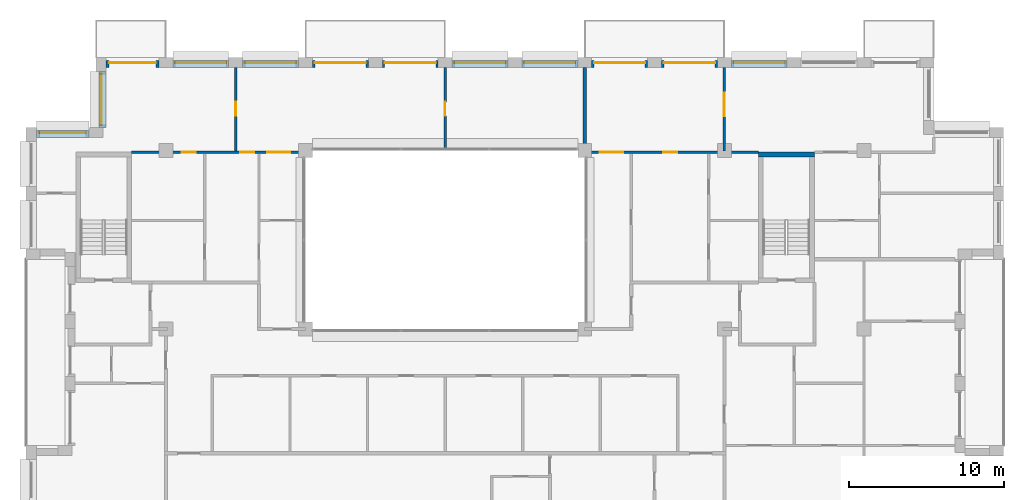
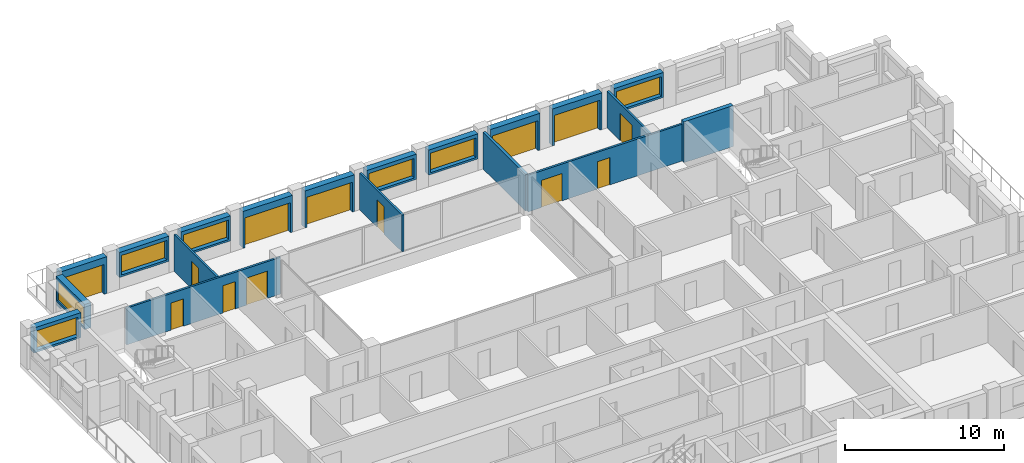
# One storey, part 13 of 15: 19 walls, 13 doors, 7 windows, 20 openings.
"""IFC4 building model written with IfcOpenShell, lengths in metres."""

import ifcopenshell
import ifcopenshell.guid

model = None  # the IFC model being written
_history = None  # IfcOwnerHistory: only IFC2X3 demands one
_inside = {}  # id of a spatial element -> (the spatial element, [elements in it])
_under = {}  # id of a project, library or spatial element -> (it, [spatial elements below it])
_declared = {}  # id of a project -> (the project, [libraries it declares])
_typed = {}  # id of a type object -> (the type object, [elements of that type])
_made_of = {}  # id of a material, layer set ... -> (it, [elements and type objects made of it])


def new_model(schema):
    """Start an empty IFC model of exactly this schema.

    Asked for "IFC4X3", IfcOpenShell would pick the latest addendum, in which some entities
    have other attributes; the version numbers below select the first issue.
    IFC2X3 requires an IfcOwnerHistory on every rooted entity: one is made here for all.
    """
    global model, _history
    if schema == "IFC4X3":
        model = ifcopenshell.file(schema_version=(4, 3, 0, 0))
    else:
        model = ifcopenshell.file(schema=schema)
    _inside.clear()
    _under.clear()
    _declared.clear()
    _typed.clear()
    _made_of.clear()
    _history = None
    if model.schema == "IFC2X3":
        org = make("IfcOrganization", Name="unknown")
        user = make(
            "IfcPersonAndOrganization",
            ThePerson=make("IfcPerson", FamilyName="unknown"),
            TheOrganization=org,
        )
        app = make(
            "IfcApplication",
            ApplicationDeveloper=org,
            Version="unknown",
            ApplicationFullName="unknown",
            ApplicationIdentifier="unknown",
        )
        _history = make(
            "IfcOwnerHistory",
            OwningUser=user,
            OwningApplication=app,
            ChangeAction="ADDED",
            CreationDate=0,
        )
    return model


def make(cls, **values):
    """One entity of the class cls with the attributes given. An attribute that is None is left unset."""
    return model.create_entity(
        cls, **{name: value for name, value in values.items() if value is not None}
    )


def rooted(cls, **values):
    """An entity with a GlobalId (a new one), such as an element, a storey or a relation."""
    return make(cls, GlobalId=ifcopenshell.guid.new(), OwnerHistory=_history, **values)


def si_unit(unit_type, name, prefix=None):
    """IfcSIUnit, for example si_unit("LENGTHUNIT", "METRE", prefix="MILLI")."""
    return make("IfcSIUnit", UnitType=unit_type, Prefix=prefix, Name=name)


def assignment(units):
    """IfcUnitAssignment: the units of a project."""
    return None if units is None else make("IfcUnitAssignment", Units=units)


def point(xyz):
    """IfcCartesianPoint."""
    return None if xyz is None else make("IfcCartesianPoint", Coordinates=xyz)


def direction(xyz):
    """IfcDirection."""
    return None if xyz is None else make("IfcDirection", DirectionRatios=xyz)


def frame(location, z_axis=None, x_axis=None):
    """IfcAxis2Placement3D, a coordinate frame: its origin and axes. An axis left out is left unset."""
    return make(
        "IfcAxis2Placement3D",
        Location=point(location),
        Axis=direction(z_axis),
        RefDirection=direction(x_axis),
    )


def frame_2d(location, x_axis=None):
    """IfcAxis2Placement2D, a coordinate frame in the plane: its origin and x axis."""
    return make(
        "IfcAxis2Placement2D", Location=point(location), RefDirection=direction(x_axis)
    )


def origin():
    """The frame at (0, 0, 0) with its axes left unset."""
    return frame((0.0, 0.0, 0.0))


def place(relative_to, where):
    """IfcLocalPlacement: puts the frame where relative to a parent placement (None: the world)."""
    return make(
        "IfcLocalPlacement", PlacementRelTo=relative_to, RelativePlacement=where
    )


def context(
    kind, dimensions, precision=None, world=None, true_north=None, identifier=None
):
    """IfcGeometricRepresentationContext, for example the 3D "Model" context."""
    return make(
        "IfcGeometricRepresentationContext",
        ContextIdentifier=identifier,
        ContextType=kind,
        CoordinateSpaceDimension=dimensions,
        Precision=precision,
        WorldCoordinateSystem=world,
        TrueNorth=true_north,
    )


def subcontext(parent, identifier, kind, view, scale=None):
    """IfcGeometricRepresentationSubContext, for example "Body" below "Model"."""
    return make(
        "IfcGeometricRepresentationSubContext",
        ContextIdentifier=identifier,
        ContextType=kind,
        ParentContext=parent,
        TargetScale=scale,
        TargetView=view,
    )


def project(units=None, contexts=None):
    """IfcProject with its units and contexts."""
    return rooted(
        "IfcProject",
        Name="project",
        RepresentationContexts=contexts,
        UnitsInContext=assignment(units),
    )


def spatial(cls, under=None, at=None, **own):
    """A site, building, storey or space (cls), placed at a placement, below another one or the project."""
    s = rooted(cls, ObjectPlacement=at, **own)
    if under is not None:
        _under.setdefault(under.id(), (under, []))[1].append(s)
    return s


def profile(cls, at=None, kind="AREA", **sizes):
    """A parametric profile (cls). Its sizes go by their IFC names, for example OverallWidth=200.0."""
    return make(cls, ProfileType=kind, Position=at, **sizes)


def rectangle(**sizes):
    """IfcRectangleProfileDef."""
    return profile("IfcRectangleProfileDef", **sizes)


def extrude(swept, where, along, depth):
    """IfcExtrudedAreaSolid: the profile swept, set in the frame where, extruded along a direction by depth."""
    return make(
        "IfcExtrudedAreaSolid",
        SweptArea=swept,
        Position=where,
        ExtrudedDirection=direction(along),
        Depth=depth,
    )


def shape(context_of_items, identifier, shape_type, items):
    """IfcShapeRepresentation: the items that make up one representation, for example the "Body"."""
    return make(
        "IfcShapeRepresentation",
        ContextOfItems=context_of_items,
        RepresentationIdentifier=identifier,
        RepresentationType=shape_type,
        Items=items,
    )


def material(Name=None, Category=None):
    """IfcMaterial."""
    return make("IfcMaterial", Name=Name, Category=Category)


def layer(
    of_material, thickness, ventilated=None, Name=None, Category=None, Priority=None
):
    """IfcMaterialLayer: one layer of a wall or slab, of a material (None: an air gap)."""
    return make(
        "IfcMaterialLayer",
        Material=of_material,
        LayerThickness=thickness,
        IsVentilated=ventilated,
        Name=Name,
        Category=Category,
        Priority=Priority,
    )


def layer_set(layers, Name=None):
    """IfcMaterialLayerSet."""
    return make("IfcMaterialLayerSet", MaterialLayers=layers, LayerSetName=Name)


def made_of(thing, what):
    """Note that an element or type object is made of a material, layer set ...; save() writes the relation."""
    if what is not None:
        _made_of.setdefault(what.id(), (what, []))[1].append(thing)
    return thing


def type_object(cls, material=None, **own):
    """A type object (cls), such as IfcWallType, which elements share."""
    return made_of(rooted(cls, **own), material)


def element(
    cls,
    number,
    at=None,
    inside=None,
    cuts=None,
    type_object=None,
    material=None,
    context=None,
    identifier="Body",
    shape_type=None,
    held_by="IfcProductDefinitionShape",
    body=None,
    shapes=None,
    **own,
):
    """One element of the class cls, such as IfcWall. Its Tag is "e" and its number.

    at: its placement. inside: the storey or other place that contains it. cuts: it is an
    opening in that element (IfcRelVoidsElement). A single representation is given by context,
    identifier, shape_type and body (its items); several are given by shapes. held_by: the class
    of the entity that holds the representations. save() writes the other relations.
    """
    e = rooted(cls, Tag="e%d" % number, ObjectPlacement=at, **own)
    if body is not None:
        shapes = [shape(context, identifier, shape_type, body)]
    if shapes is not None:
        e.Representation = make(held_by, Representations=shapes)
    if inside is not None:
        _inside.setdefault(inside.id(), (inside, []))[1].append(e)
    if cuts is not None:
        rooted(
            "IfcRelVoidsElement", RelatingBuildingElement=cuts, RelatedOpeningElement=e
        )
    if type_object is not None:
        _typed.setdefault(type_object.id(), (type_object, []))[1].append(e)
    return made_of(e, material)


def fill(opening, filler):
    """IfcRelFillsElement: the door or window that sits in an opening."""
    return rooted(
        "IfcRelFillsElement",
        RelatingOpeningElement=opening,
        RelatedBuildingElement=filler,
    )


def aggregate(whole, parts):
    """IfcRelAggregates: a whole, such as a stair, and the parts it consists of."""
    return rooted("IfcRelAggregates", RelatingObject=whole, RelatedObjects=parts)


def save(model, path):
    """Write the relations noted so far, then the file.

    IfcRelAggregates (storeys below a building ...), IfcRelContainedInSpatialStructure (elements
    in a storey), IfcRelDefinesByType, IfcRelAssociatesMaterial and IfcRelDeclares: one each for
    every whole, place, type object, material and project.
    """
    for whole, parts in _under.values():
        aggregate(whole, parts)
    for where, things in _inside.values():
        rooted(
            "IfcRelContainedInSpatialStructure",
            RelatedElements=things,
            RelatingStructure=where,
        )
    for kind, things in _typed.values():
        rooted("IfcRelDefinesByType", RelatedObjects=things, RelatingType=kind)
    for what, things in _made_of.values():
        rooted("IfcRelAssociatesMaterial", RelatedObjects=things, RelatingMaterial=what)
    for by, libraries in _declared.values():
        rooted("IfcRelDeclares", RelatingContext=by, RelatedDefinitions=libraries)
    model.write(path)


model = new_model("IFC4")

# Units and contexts
model_context = context("Model", 3, precision=1e-05, world=origin(), true_north=direction((0.0, 1.0)))
body_context = subcontext(model_context, "Body", "Model", "MODEL_VIEW")
ifc_project = project(units=[si_unit("LENGTHUNIT", "METRE"), si_unit("AREAUNIT", "SQUARE_METRE"), si_unit("VOLUMEUNIT", "CUBIC_METRE"), si_unit("PLANEANGLEUNIT", "RADIAN"), si_unit("MASSUNIT", "GRAM", prefix="KILO")], contexts=[model_context])

# Site, building, storey
site_placement = place(None, origin())
site = spatial("IfcSite", under=ifc_project, at=site_placement, CompositionType="ELEMENT")
building_placement = place(site_placement, origin())
building = spatial("IfcBuilding", under=site, at=building_placement, Name="Brigalow Station Residences", CompositionType="ELEMENT")
storey_placement = place(building_placement, frame((0.0, 0.0, 210.60009765625)))
storey = spatial("IfcBuildingStorey", under=building, at=storey_placement, Name="L60", CompositionType="ELEMENT", Elevation=210.60009765625)

# Wall, opening, window
ifc_material_1 = material(Name="Clay brick masonry", Category="masonry")
ifc_layer_1 = layer(ifc_material_1, 0.449951171875)
ifc_layer_set_1 = layer_set([ifc_layer_1], Name="BRICK INFILL WALL 450")
wall_type_1 = type_object("IfcWallType", Name="BRICK INFILL WALL 450", PredefinedType="SOLIDWALL", material=ifc_layer_set_1)
wall_1_placement = place(storey_placement, frame((58.050048828125, 41.074951171875, 0.89990234375), z_axis=(0.0, 0.0, 1.0), x_axis=(-1.0, 0.0, 0.0)))
wall_1 = element("IfcWall", 1, at=wall_1_placement, inside=storey, type_object=wall_type_1, Name="L60/ewall/W-L60-22", PredefinedType="SOLIDWALL", context=body_context, shape_type="SweptSolid", body=[
    extrude(rectangle(XDim=3.60009765625, YDim=0.449951171875, at=frame_2d((1.800048828125, 0.0))), origin(), (0.0, 0.0, 1.0), 1.929931640625),
])
opening_1_placement = place(wall_1_placement, frame((0.14990234375, 0.0, 0.14990234375)))
opening_1 = element("IfcOpeningElement", 2, at=opening_1_placement, cuts=wall_1, Name="Opening WT-10", PredefinedType="OPENING", context=body_context, shape_type="SweptSolid", body=[
    extrude(rectangle(XDim=3.300048828125, YDim=1.5, at=frame_2d((1.64990234375, 0.75))), frame((0.0, 0.23486328125, 0.0), z_axis=(0.0, -1.0, 0.0), x_axis=(1.0, 0.0, 0.0)), (0.0, 0.0, 1.0), 0.469970703125),
])
ifc_material_2 = material(Name="Anodised aluminium frame with double glazing", Category="aluminium")
window_type_1 = type_object("IfcWindowType", Name="WINDOW 3300x1500", PartitioningType="SINGLE_PANEL", PredefinedType="WINDOW", material=ifc_material_2)
window_1_placement = place(opening_1_placement, origin())
window_1 = element("IfcWindow", 3, at=window_1_placement, inside=storey, type_object=window_type_1, Name="L60/window/W-L60-22", OverallHeight=1.5, OverallWidth=3.300048828125, PartitioningType="SINGLE_PANEL", PredefinedType="WINDOW", context=body_context, shape_type="SweptSolid", body=[
    extrude(rectangle(XDim=3.300048828125, YDim=1.5, at=frame_2d((1.64990234375, 0.75))), frame((0.0, -0.06494140625, 0.0), z_axis=(0.0, -1.0, 0.0), x_axis=(1.0, 0.0, 0.0)), (0.0, 0.0, 1.0), 0.06005859375),
])
fill(opening_1, window_1)

# Wall, opening, door
wall_2_placement = place(storey_placement, frame((53.550048828125, 41.074951171875, 0.0), z_axis=(0.0, 0.0, 1.0), x_axis=(-1.0, 0.0, 0.0)))
wall_2 = element("IfcWall", 4, at=wall_2_placement, inside=storey, type_object=wall_type_1, Name="L60/ewall/W-L60-23", PredefinedType="SOLIDWALL", context=body_context, shape_type="SweptSolid", body=[
    extrude(rectangle(XDim=3.60009765625, YDim=0.449951171875, at=frame_2d((1.800048828125, 0.0))), origin(), (0.0, 0.0, 1.0), 2.829833984375),
])
opening_2_placement = place(wall_2_placement, frame((0.14990234375, 0.0, 0.0)))
opening_2 = element("IfcOpeningElement", 5, at=opening_2_placement, cuts=wall_2, Name="Opening D-B3300", PredefinedType="OPENING", context=body_context, shape_type="SweptSolid", body=[
    extrude(rectangle(XDim=3.300048828125, YDim=2.300048828125, at=frame_2d((1.64990234375, 1.14990234375))), frame((0.0, 0.23486328125, 0.0), z_axis=(0.0, -1.0, 0.0), x_axis=(1.0, 0.0, 0.0)), (0.0, 0.0, 1.0), 0.469970703125),
])
ifc_material_3 = material(Name="Anodised aluminium frame with double glazing", Category="aluminium")
door_type_1 = type_object("IfcDoorType", Name="BALCONY SLIDING DOOR 3300x2300", OperationType="SLIDING_TO_LEFT", PredefinedType="DOOR", material=ifc_material_3)
door_1_placement = place(opening_2_placement, origin())
door_1 = element("IfcDoor", 6, at=door_1_placement, inside=storey, type_object=door_type_1, Name="L60/balcony-door/W-L60-23", OperationType="SLIDING_TO_LEFT", OverallHeight=2.300048828125, OverallWidth=3.300048828125, PredefinedType="DOOR", context=body_context, shape_type="SweptSolid", body=[
    extrude(rectangle(XDim=3.300048828125, YDim=2.300048828125, at=frame_2d((1.64990234375, 1.14990234375))), frame((0.0, -0.06982421875, 0.0), z_axis=(0.0, -1.0, 0.0), x_axis=(1.0, 0.0, 0.0)), (0.0, 0.0, 1.0), 0.050048828125),
])
fill(opening_2, door_1)

wall_3_placement = place(storey_placement, frame((49.050048828125, 41.074951171875, 0.0), z_axis=(0.0, 0.0, 1.0), x_axis=(-1.0, 0.0, 0.0)))
wall_3 = element("IfcWall", 7, at=wall_3_placement, inside=storey, type_object=wall_type_1, Name="L60/ewall/W-L60-24", PredefinedType="SOLIDWALL", context=body_context, shape_type="SweptSolid", body=[
    extrude(rectangle(XDim=3.60009765625, YDim=0.449951171875, at=frame_2d((1.800048828125, 0.0))), origin(), (0.0, 0.0, 1.0), 2.829833984375),
])
opening_3_placement = place(wall_3_placement, frame((0.14990234375, 0.0, 0.0)))
opening_3 = element("IfcOpeningElement", 8, at=opening_3_placement, cuts=wall_3, Name="Opening D-B3300", PredefinedType="OPENING", context=body_context, shape_type="SweptSolid", body=[
    extrude(rectangle(XDim=3.300048828125, YDim=2.300048828125, at=frame_2d((1.64990234375, 1.14990234375))), frame((0.0, 0.23486328125, 0.0), z_axis=(0.0, -1.0, 0.0), x_axis=(1.0, 0.0, 0.0)), (0.0, 0.0, 1.0), 0.469970703125),
])
door_2_placement = place(opening_3_placement, origin())
door_2 = element("IfcDoor", 9, at=door_2_placement, inside=storey, type_object=door_type_1, Name="L60/balcony-door/W-L60-24", OperationType="SLIDING_TO_LEFT", OverallHeight=2.300048828125, OverallWidth=3.300048828125, PredefinedType="DOOR", context=body_context, shape_type="SweptSolid", body=[
    extrude(rectangle(XDim=3.300048828125, YDim=2.300048828125, at=frame_2d((1.64990234375, 1.14990234375))), frame((0.0, -0.06982421875, 0.0), z_axis=(0.0, -1.0, 0.0), x_axis=(1.0, 0.0, 0.0)), (0.0, 0.0, 1.0), 0.050048828125),
])
fill(opening_3, door_2)

# Wall, opening, window
wall_4_placement = place(storey_placement, frame((44.550048828125, 41.074951171875, 0.89990234375), z_axis=(0.0, 0.0, 1.0), x_axis=(-1.0, 0.0, 0.0)))
wall_4 = element("IfcWall", 10, at=wall_4_placement, inside=storey, type_object=wall_type_1, Name="L60/ewall/W-L60-25", PredefinedType="SOLIDWALL", context=body_context, shape_type="SweptSolid", body=[
    extrude(rectangle(XDim=3.60009765625, YDim=0.449951171875, at=frame_2d((1.800048828125, 0.0))), origin(), (0.0, 0.0, 1.0), 1.929931640625),
])
opening_4_placement = place(wall_4_placement, frame((0.14990234375, 0.0, 0.14990234375)))
opening_4 = element("IfcOpeningElement", 11, at=opening_4_placement, cuts=wall_4, Name="Opening WT-10", PredefinedType="OPENING", context=body_context, shape_type="SweptSolid", body=[
    extrude(rectangle(XDim=3.300048828125, YDim=1.5, at=frame_2d((1.64990234375, 0.75))), frame((0.0, 0.23486328125, 0.0), z_axis=(0.0, -1.0, 0.0), x_axis=(1.0, 0.0, 0.0)), (0.0, 0.0, 1.0), 0.469970703125),
])
window_2_placement = place(opening_4_placement, origin())
window_2 = element("IfcWindow", 12, at=window_2_placement, inside=storey, type_object=window_type_1, Name="L60/window/W-L60-25", OverallHeight=1.5, OverallWidth=3.300048828125, PartitioningType="SINGLE_PANEL", PredefinedType="WINDOW", context=body_context, shape_type="SweptSolid", body=[
    extrude(rectangle(XDim=3.300048828125, YDim=1.5, at=frame_2d((1.64990234375, 0.75))), frame((0.0, -0.06494140625, 0.0), z_axis=(0.0, -1.0, 0.0), x_axis=(1.0, 0.0, 0.0)), (0.0, 0.0, 1.0), 0.06005859375),
])
fill(opening_4, window_2)

wall_5_placement = place(storey_placement, frame((40.050048828125, 41.074951171875, 0.89990234375), z_axis=(0.0, 0.0, 1.0), x_axis=(-1.0, 0.0, 0.0)))
wall_5 = element("IfcWall", 13, at=wall_5_placement, inside=storey, type_object=wall_type_1, Name="L60/ewall/W-L60-26", PredefinedType="SOLIDWALL", context=body_context, shape_type="SweptSolid", body=[
    extrude(rectangle(XDim=3.60009765625, YDim=0.449951171875, at=frame_2d((1.800048828125, 0.0))), origin(), (0.0, 0.0, 1.0), 1.929931640625),
])
opening_5_placement = place(wall_5_placement, frame((0.14990234375, 0.0, 0.14990234375)))
opening_5 = element("IfcOpeningElement", 14, at=opening_5_placement, cuts=wall_5, Name="Opening WT-10", PredefinedType="OPENING", context=body_context, shape_type="SweptSolid", body=[
    extrude(rectangle(XDim=3.300048828125, YDim=1.5, at=frame_2d((1.64990234375, 0.75))), frame((0.0, 0.23486328125, 0.0), z_axis=(0.0, -1.0, 0.0), x_axis=(1.0, 0.0, 0.0)), (0.0, 0.0, 1.0), 0.469970703125),
])
window_3_placement = place(opening_5_placement, origin())
window_3 = element("IfcWindow", 15, at=window_3_placement, inside=storey, type_object=window_type_1, Name="L60/window/W-L60-26", OverallHeight=1.5, OverallWidth=3.300048828125, PartitioningType="SINGLE_PANEL", PredefinedType="WINDOW", context=body_context, shape_type="SweptSolid", body=[
    extrude(rectangle(XDim=3.300048828125, YDim=1.5, at=frame_2d((1.64990234375, 0.75))), frame((0.0, -0.06494140625, 0.0), z_axis=(0.0, -1.0, 0.0), x_axis=(1.0, 0.0, 0.0)), (0.0, 0.0, 1.0), 0.06005859375),
])
fill(opening_5, window_3)

# Wall, opening, door
wall_6_placement = place(storey_placement, frame((35.550048828125, 41.074951171875, 0.0), z_axis=(0.0, 0.0, 1.0), x_axis=(-1.0, 0.0, 0.0)))
wall_6 = element("IfcWall", 16, at=wall_6_placement, inside=storey, type_object=wall_type_1, Name="L60/ewall/W-L60-27", PredefinedType="SOLIDWALL", context=body_context, shape_type="SweptSolid", body=[
    extrude(rectangle(XDim=3.60009765625, YDim=0.449951171875, at=frame_2d((1.800048828125, 0.0))), origin(), (0.0, 0.0, 1.0), 2.829833984375),
])
opening_6_placement = place(wall_6_placement, frame((0.14990234375, 0.0, 0.0)))
opening_6 = element("IfcOpeningElement", 17, at=opening_6_placement, cuts=wall_6, Name="Opening D-B3300", PredefinedType="OPENING", context=body_context, shape_type="SweptSolid", body=[
    extrude(rectangle(XDim=3.300048828125, YDim=2.300048828125, at=frame_2d((1.64990234375, 1.14990234375))), frame((0.0, 0.23486328125, 0.0), z_axis=(0.0, -1.0, 0.0), x_axis=(1.0, 0.0, 0.0)), (0.0, 0.0, 1.0), 0.469970703125),
])
door_3_placement = place(opening_6_placement, origin())
door_3 = element("IfcDoor", 18, at=door_3_placement, inside=storey, type_object=door_type_1, Name="L60/balcony-door/W-L60-27", OperationType="SLIDING_TO_LEFT", OverallHeight=2.300048828125, OverallWidth=3.300048828125, PredefinedType="DOOR", context=body_context, shape_type="SweptSolid", body=[
    extrude(rectangle(XDim=3.300048828125, YDim=2.300048828125, at=frame_2d((1.64990234375, 1.14990234375))), frame((0.0, -0.06982421875, 0.0), z_axis=(0.0, -1.0, 0.0), x_axis=(1.0, 0.0, 0.0)), (0.0, 0.0, 1.0), 0.050048828125),
])
fill(opening_6, door_3)

wall_7_placement = place(storey_placement, frame((31.050048828125, 41.074951171875, 0.0), z_axis=(0.0, 0.0, 1.0), x_axis=(-1.0, 0.0, 0.0)))
wall_7 = element("IfcWall", 19, at=wall_7_placement, inside=storey, type_object=wall_type_1, Name="L60/ewall/W-L60-28", PredefinedType="SOLIDWALL", context=body_context, shape_type="SweptSolid", body=[
    extrude(rectangle(XDim=3.60009765625, YDim=0.449951171875, at=frame_2d((1.800048828125, 0.0))), origin(), (0.0, 0.0, 1.0), 2.829833984375),
])
opening_7_placement = place(wall_7_placement, frame((0.14990234375, 0.0, 0.0)))
opening_7 = element("IfcOpeningElement", 20, at=opening_7_placement, cuts=wall_7, Name="Opening D-B3300", PredefinedType="OPENING", context=body_context, shape_type="SweptSolid", body=[
    extrude(rectangle(XDim=3.300048828125, YDim=2.300048828125, at=frame_2d((1.64990234375, 1.14990234375))), frame((0.0, 0.23486328125, 0.0), z_axis=(0.0, -1.0, 0.0), x_axis=(1.0, 0.0, 0.0)), (0.0, 0.0, 1.0), 0.469970703125),
])
door_4_placement = place(opening_7_placement, origin())
door_4 = element("IfcDoor", 21, at=door_4_placement, inside=storey, type_object=door_type_1, Name="L60/balcony-door/W-L60-28", OperationType="SLIDING_TO_LEFT", OverallHeight=2.300048828125, OverallWidth=3.300048828125, PredefinedType="DOOR", context=body_context, shape_type="SweptSolid", body=[
    extrude(rectangle(XDim=3.300048828125, YDim=2.300048828125, at=frame_2d((1.64990234375, 1.14990234375))), frame((0.0, -0.06982421875, 0.0), z_axis=(0.0, -1.0, 0.0), x_axis=(1.0, 0.0, 0.0)), (0.0, 0.0, 1.0), 0.050048828125),
])
fill(opening_7, door_4)

# Wall, opening, window
wall_8_placement = place(storey_placement, frame((26.550048828125, 41.074951171875, 0.89990234375), z_axis=(0.0, 0.0, 1.0), x_axis=(-1.0, 0.0, 0.0)))
wall_8 = element("IfcWall", 22, at=wall_8_placement, inside=storey, type_object=wall_type_1, Name="L60/ewall/W-L60-29", PredefinedType="SOLIDWALL", context=body_context, shape_type="SweptSolid", body=[
    extrude(rectangle(XDim=3.60009765625, YDim=0.449951171875, at=frame_2d((1.800048828125, 0.0))), origin(), (0.0, 0.0, 1.0), 1.929931640625),
])
opening_8_placement = place(wall_8_placement, frame((0.14990234375, 0.0, 0.14990234375)))
opening_8 = element("IfcOpeningElement", 23, at=opening_8_placement, cuts=wall_8, Name="Opening WT-10", PredefinedType="OPENING", context=body_context, shape_type="SweptSolid", body=[
    extrude(rectangle(XDim=3.300048828125, YDim=1.5, at=frame_2d((1.64990234375, 0.75))), frame((0.0, 0.23486328125, 0.0), z_axis=(0.0, -1.0, 0.0), x_axis=(1.0, 0.0, 0.0)), (0.0, 0.0, 1.0), 0.469970703125),
])
window_4_placement = place(opening_8_placement, origin())
window_4 = element("IfcWindow", 24, at=window_4_placement, inside=storey, type_object=window_type_1, Name="L60/window/W-L60-29", OverallHeight=1.5, OverallWidth=3.300048828125, PartitioningType="SINGLE_PANEL", PredefinedType="WINDOW", context=body_context, shape_type="SweptSolid", body=[
    extrude(rectangle(XDim=3.300048828125, YDim=1.5, at=frame_2d((1.64990234375, 0.75))), frame((0.0, -0.06494140625, 0.0), z_axis=(0.0, -1.0, 0.0), x_axis=(1.0, 0.0, 0.0)), (0.0, 0.0, 1.0), 0.06005859375),
])
fill(opening_8, window_4)

wall_9_placement = place(storey_placement, frame((22.050048828125, 41.074951171875, 0.89990234375), z_axis=(0.0, 0.0, 1.0), x_axis=(-1.0, 0.0, 0.0)))
wall_9 = element("IfcWall", 25, at=wall_9_placement, inside=storey, type_object=wall_type_1, Name="L60/ewall/W-L60-30", PredefinedType="SOLIDWALL", context=body_context, shape_type="SweptSolid", body=[
    extrude(rectangle(XDim=3.60009765625, YDim=0.449951171875, at=frame_2d((1.800048828125, 0.0))), origin(), (0.0, 0.0, 1.0), 1.929931640625),
])
opening_9_placement = place(wall_9_placement, frame((0.14990234375, 0.0, 0.14990234375)))
opening_9 = element("IfcOpeningElement", 26, at=opening_9_placement, cuts=wall_9, Name="Opening WT-10", PredefinedType="OPENING", context=body_context, shape_type="SweptSolid", body=[
    extrude(rectangle(XDim=3.300048828125, YDim=1.5, at=frame_2d((1.64990234375, 0.75))), frame((0.0, 0.23486328125, 0.0), z_axis=(0.0, -1.0, 0.0), x_axis=(1.0, 0.0, 0.0)), (0.0, 0.0, 1.0), 0.469970703125),
])
window_5_placement = place(opening_9_placement, origin())
window_5 = element("IfcWindow", 27, at=window_5_placement, inside=storey, type_object=window_type_1, Name="L60/window/W-L60-30", OverallHeight=1.5, OverallWidth=3.300048828125, PartitioningType="SINGLE_PANEL", PredefinedType="WINDOW", context=body_context, shape_type="SweptSolid", body=[
    extrude(rectangle(XDim=3.300048828125, YDim=1.5, at=frame_2d((1.64990234375, 0.75))), frame((0.0, -0.06494140625, 0.0), z_axis=(0.0, -1.0, 0.0), x_axis=(1.0, 0.0, 0.0)), (0.0, 0.0, 1.0), 0.06005859375),
])
fill(opening_9, window_5)

# Wall, opening, door
wall_10_placement = place(storey_placement, frame((17.550048828125, 41.074951171875, 0.0), z_axis=(0.0, 0.0, 1.0), x_axis=(-1.0, 0.0, 0.0)))
wall_10 = element("IfcWall", 28, at=wall_10_placement, inside=storey, type_object=wall_type_1, Name="L60/ewall/W-L60-31", PredefinedType="SOLIDWALL", context=body_context, shape_type="SweptSolid", body=[
    extrude(rectangle(XDim=3.400146484375, YDim=0.449951171875, at=frame_2d((1.7001953125, 0.0))), origin(), (0.0, 0.0, 1.0), 2.829833984375),
])
opening_10_placement = place(wall_10_placement, frame((0.199951171875, 0.0, 0.0)))
opening_10 = element("IfcOpeningElement", 29, at=opening_10_placement, cuts=wall_10, Name="Opening D-B3000", PredefinedType="OPENING", context=body_context, shape_type="SweptSolid", body=[
    extrude(rectangle(XDim=3.0, YDim=2.300048828125, at=frame_2d((1.5, 1.14990234375))), frame((0.0, 0.23486328125, 0.0), z_axis=(0.0, -1.0, 0.0), x_axis=(1.0, 0.0, 0.0)), (0.0, 0.0, 1.0), 0.469970703125),
])
ifc_material_4 = material(Name="Anodised aluminium frame with double glazing", Category="aluminium")
door_type_2 = type_object("IfcDoorType", Name="BALCONY SLIDING DOOR 3000x2300", OperationType="SLIDING_TO_LEFT", PredefinedType="DOOR", material=ifc_material_4)
door_5_placement = place(opening_10_placement, origin())
door_5 = element("IfcDoor", 30, at=door_5_placement, inside=storey, type_object=door_type_2, Name="L60/balcony-door/W-L60-31", OperationType="SLIDING_TO_LEFT", OverallHeight=2.300048828125, OverallWidth=3.0, PredefinedType="DOOR", context=body_context, shape_type="SweptSolid", body=[
    extrude(rectangle(XDim=3.0, YDim=2.300048828125, at=frame_2d((1.5, 1.14990234375))), frame((0.0, -0.06982421875, 0.0), z_axis=(0.0, -1.0, 0.0), x_axis=(1.0, 0.0, 0.0)), (0.0, 0.0, 1.0), 0.050048828125),
])
fill(opening_10, door_5)

# Wall, opening, window
wall_11_placement = place(storey_placement, frame((13.925048828125, 40.60009765625, 0.89990234375), z_axis=(0.0, 0.0, 1.0), x_axis=(0.0, -1.0, 0.0)))
wall_11 = element("IfcWall", 31, at=wall_11_placement, inside=storey, type_object=wall_type_1, Name="L60/ewall/W-L60-32", PredefinedType="SOLIDWALL", context=body_context, shape_type="SweptSolid", body=[
    extrude(rectangle(XDim=3.60009765625, YDim=0.449951171875, at=frame_2d((1.800048828125, 0.0))), origin(), (0.0, 0.0, 1.0), 1.929931640625),
])
opening_11_placement = place(wall_11_placement, frame((0.14990234375, 0.0, 0.14990234375)))
opening_11 = element("IfcOpeningElement", 32, at=opening_11_placement, cuts=wall_11, Name="Opening WT-10", PredefinedType="OPENING", context=body_context, shape_type="SweptSolid", body=[
    extrude(rectangle(XDim=3.300048828125, YDim=1.5, at=frame_2d((1.64990234375, 0.75))), frame((0.0, 0.23486328125, 0.0), z_axis=(0.0, -1.0, 0.0), x_axis=(1.0, 0.0, 0.0)), (0.0, 0.0, 1.0), 0.469970703125),
])
window_6_placement = place(opening_11_placement, origin())
window_6 = element("IfcWindow", 33, at=window_6_placement, inside=storey, type_object=window_type_1, Name="L60/window/W-L60-32", OverallHeight=1.5, OverallWidth=3.300048828125, PartitioningType="SINGLE_PANEL", PredefinedType="WINDOW", context=body_context, shape_type="SweptSolid", body=[
    extrude(rectangle(XDim=3.300048828125, YDim=1.5, at=frame_2d((1.64990234375, 0.75))), frame((0.0, -0.06494140625, 0.0), z_axis=(0.0, -1.0, 0.0), x_axis=(1.0, 0.0, 0.0)), (0.0, 0.0, 1.0), 0.06005859375),
])
fill(opening_11, window_6)

wall_12_placement = place(storey_placement, frame((13.050048828125, 36.574951171875, 0.89990234375), z_axis=(0.0, 0.0, 1.0), x_axis=(-1.0, 0.0, 0.0)))
wall_12 = element("IfcWall", 34, at=wall_12_placement, inside=storey, type_object=wall_type_1, Name="L60/ewall/W-L60-33", PredefinedType="SOLIDWALL", context=body_context, shape_type="SweptSolid", body=[
    extrude(rectangle(XDim=3.400146484375, YDim=0.449951171875, at=frame_2d((1.7001953125, 0.0))), origin(), (0.0, 0.0, 1.0), 1.929931640625),
])
opening_12_placement = place(wall_12_placement, frame((0.199951171875, 0.0, 0.14990234375)))
opening_12 = element("IfcOpeningElement", 35, at=opening_12_placement, cuts=wall_12, Name="Opening WT-2", PredefinedType="OPENING", context=body_context, shape_type="SweptSolid", body=[
    extrude(rectangle(XDim=3.0, YDim=1.5, at=frame_2d((1.5, 0.75))), frame((0.0, 0.23486328125, 0.0), z_axis=(0.0, -1.0, 0.0), x_axis=(1.0, 0.0, 0.0)), (0.0, 0.0, 1.0), 0.469970703125),
])
ifc_material_5 = material(Name="Anodised aluminium frame with double glazing", Category="aluminium")
window_type_2 = type_object("IfcWindowType", Name="WINDOW 3000x1500", PartitioningType="SINGLE_PANEL", PredefinedType="WINDOW", material=ifc_material_5)
window_7_placement = place(opening_12_placement, origin())
window_7 = element("IfcWindow", 36, at=window_7_placement, inside=storey, type_object=window_type_2, Name="L60/window/W-L60-33", OverallHeight=1.5, OverallWidth=3.0, PartitioningType="SINGLE_PANEL", PredefinedType="WINDOW", context=body_context, shape_type="SweptSolid", body=[
    extrude(rectangle(XDim=3.0, YDim=1.5, at=frame_2d((1.5, 0.75))), frame((0.0, -0.06494140625, 0.0), z_axis=(0.0, -1.0, 0.0), x_axis=(1.0, 0.0, 0.0)), (0.0, 0.0, 1.0), 0.06005859375),
])
fill(opening_12, window_7)

# Wall
ifc_material_6 = material(Name="Concrete C50", Category="concrete")
ifc_layer_2 = layer(ifc_material_6, 0.300048828125)
ifc_layer_set_2 = layer_set([ifc_layer_2], Name="CORE SHEAR WALL 300 C50")
wall_type_2 = type_object("IfcWallType", Name="CORE SHEAR WALL 300 C50", PredefinedType="SHEAR", material=ifc_layer_set_2)
wall_13_placement = place(storey_placement, frame((56.199951171875, 35.25, 0.0), z_axis=(0.0, 0.0, 1.0), x_axis=(1.0, 0.0, 0.0)))
element("IfcWall", 37, at=wall_13_placement, inside=storey, type_object=wall_type_2, Name="CORE WALL ST-S3-N L60", PredefinedType="SHEAR", context=body_context, shape_type="SweptSolid", body=[
    extrude(rectangle(XDim=3.60009765625, YDim=0.300048828125, at=frame_2d((1.800048828125, 0.0))), origin(), (0.0, 0.0, 1.0), 3.14990234375),
])

# Wall, openings, doors
ifc_material_7 = material(Name="Plasterboard on steel stud partition", Category="steel")
ifc_layer_3 = layer(ifc_material_7, 0.14990234375)
ifc_layer_set_3 = layer_set([ifc_layer_3], Name="FLAT PARTITION 150")
wall_type_3 = type_object("IfcWallType", Name="FLAT PARTITION 150", PredefinedType="PARTITIONING", material=ifc_layer_set_3)
wall_14_placement = place(storey_placement, frame((15.800048828125, 35.39990234375, 0.0), z_axis=(0.0, 0.0, 1.0), x_axis=(1.0, 0.0, 0.0)))
wall_14 = element("IfcWall", 38, at=wall_14_placement, inside=storey, type_object=wall_type_3, Name="PW-4B19", PredefinedType="PARTITIONING", context=body_context, shape_type="SweptSolid", body=[
    extrude(rectangle(XDim=11.199951171875, YDim=0.14990234375, at=frame_2d((5.60009765625, 0.0))), origin(), (0.0, 0.0, 1.0), 2.829833984375),
])
opening_13_placement = place(wall_14_placement, frame((8.72509765625, 0.0, 0.0)))
opening_13 = element("IfcOpeningElement", 39, at=opening_13_placement, cuts=wall_14, Name="Opening D-4B14", PredefinedType="OPENING", context=body_context, shape_type="SweptSolid", body=[
    extrude(rectangle(XDim=1.5, YDim=2.10009765625, at=frame_2d((0.75, 1.050048828125))), frame((0.0, 0.0849609375, 0.0), z_axis=(0.0, -1.0, 0.0), x_axis=(1.0, 0.0, 0.0)), (0.0, 0.0, 1.0), 0.169921875),
])
opening_14_placement = place(wall_14_placement, frame((7.0, 0.0, 0.0)))
opening_14 = element("IfcOpeningElement", 40, at=opening_14_placement, cuts=wall_14, Name="Opening D-4B15", PredefinedType="OPENING", context=body_context, shape_type="SweptSolid", body=[
    extrude(rectangle(XDim=0.89990234375, YDim=2.10009765625, at=frame_2d((0.449951171875, 1.050048828125))), frame((0.0, 0.0849609375, 0.0), z_axis=(0.0, -1.0, 0.0), x_axis=(1.0, 0.0, 0.0)), (0.0, 0.0, 1.0), 0.169921875),
])
opening_15_placement = place(wall_14_placement, frame((3.22509765625, 0.0, 0.0)))
opening_15 = element("IfcOpeningElement", 41, at=opening_15_placement, cuts=wall_14, Name="Opening D-4B18", PredefinedType="OPENING", context=body_context, shape_type="SweptSolid", body=[
    extrude(rectangle(XDim=0.89990234375, YDim=2.10009765625, at=frame_2d((0.449951171875, 1.050048828125))), frame((0.0, 0.0849609375, 0.0), z_axis=(0.0, -1.0, 0.0), x_axis=(1.0, 0.0, 0.0)), (0.0, 0.0, 1.0), 0.169921875),
])
ifc_material_8 = material(Name="Solid-core timber door leaf", Category="wood")
door_type_3 = type_object("IfcDoorType", Name="INTERNAL DOOR 900 x 2100", OperationType="SINGLE_SWING_LEFT", PredefinedType="DOOR", material=ifc_material_8)
door_6_placement = place(opening_14_placement, frame((0.89990234375, 0.0, 0.0), z_axis=(0.0, 0.0, 1.0), x_axis=(-1.0, 0.0, 0.0)))
door_6 = element("IfcDoor", 42, at=door_6_placement, inside=storey, type_object=door_type_3, Name="D-4B15", OperationType="SINGLE_SWING_LEFT", OverallHeight=2.10009765625, OverallWidth=0.89990234375, PredefinedType="DOOR", context=body_context, shape_type="SweptSolid", body=[
    extrude(rectangle(XDim=0.89990234375, YDim=2.10009765625, at=frame_2d((0.449951171875, 1.050048828125))), frame((0.0, 0.02490234375, 0.0), z_axis=(0.0, -1.0, 0.0), x_axis=(1.0, 0.0, 0.0)), (0.0, 0.0, 1.0), 0.050048828125),
])
fill(opening_14, door_6)
door_7_placement = place(opening_15_placement, frame((0.89990234375, 0.0, 0.0), z_axis=(0.0, 0.0, 1.0), x_axis=(-1.0, 0.0, 0.0)))
door_7 = element("IfcDoor", 43, at=door_7_placement, inside=storey, type_object=door_type_3, Name="D-4B18", OperationType="SINGLE_SWING_LEFT", OverallHeight=2.10009765625, OverallWidth=0.89990234375, PredefinedType="DOOR", context=body_context, shape_type="SweptSolid", body=[
    extrude(rectangle(XDim=0.89990234375, YDim=2.10009765625, at=frame_2d((0.449951171875, 1.050048828125))), frame((0.0, 0.02490234375, 0.0), z_axis=(0.0, -1.0, 0.0), x_axis=(1.0, 0.0, 0.0)), (0.0, 0.0, 1.0), 0.050048828125),
])
fill(opening_15, door_7)
ifc_material_9 = material(Name="Solid-core timber door leaf", Category="wood")
door_type_4 = type_object("IfcDoorType", Name="INTERNAL DOUBLE DOOR 1500 x 2100", OperationType="DOUBLE_DOOR_SINGLE_SWING", PredefinedType="DOOR", material=ifc_material_9)
door_8_placement = place(opening_13_placement, origin())
door_8 = element("IfcDoor", 44, at=door_8_placement, inside=storey, type_object=door_type_4, Name="D-4B14", OperationType="DOUBLE_DOOR_SINGLE_SWING", OverallHeight=2.10009765625, OverallWidth=1.5, PredefinedType="DOOR", context=body_context, shape_type="SweptSolid", body=[
    extrude(rectangle(XDim=1.5, YDim=2.10009765625, at=frame_2d((0.75, 1.050048828125))), frame((0.0, 0.02490234375, 0.0), z_axis=(0.0, -1.0, 0.0), x_axis=(1.0, 0.0, 0.0)), (0.0, 0.0, 1.0), 0.050048828125),
])
fill(opening_13, door_8)

wall_15_placement = place(storey_placement, frame((45.0, 35.39990234375, 0.0), z_axis=(0.0, 0.0, 1.0), x_axis=(1.0, 0.0, 0.0)))
wall_15 = element("IfcWall", 45, at=wall_15_placement, inside=storey, type_object=wall_type_3, Name="PW-4B20", PredefinedType="PARTITIONING", context=body_context, shape_type="SweptSolid", body=[
    extrude(rectangle(XDim=11.199951171875, YDim=0.14990234375, at=frame_2d((5.60009765625, 0.0))), origin(), (0.0, 0.0, 1.0), 2.829833984375),
])
opening_16_placement = place(wall_15_placement, frame((0.97509765625, 0.0, 0.0)))
opening_16 = element("IfcOpeningElement", 46, at=opening_16_placement, cuts=wall_15, Name="Opening D-4B22", PredefinedType="OPENING", context=body_context, shape_type="SweptSolid", body=[
    extrude(rectangle(XDim=1.5, YDim=2.10009765625, at=frame_2d((0.75, 1.050048828125))), frame((0.0, 0.0849609375, 0.0), z_axis=(0.0, -1.0, 0.0), x_axis=(1.0, 0.0, 0.0)), (0.0, 0.0, 1.0), 0.169921875),
])
opening_17_placement = place(wall_15_placement, frame((5.050048828125, 0.0, 0.0)))
opening_17 = element("IfcOpeningElement", 47, at=opening_17_placement, cuts=wall_15, Name="Opening D-4B23", PredefinedType="OPENING", context=body_context, shape_type="SweptSolid", body=[
    extrude(rectangle(XDim=0.89990234375, YDim=2.10009765625, at=frame_2d((0.449951171875, 1.050048828125))), frame((0.0, 0.0849609375, 0.0), z_axis=(0.0, -1.0, 0.0), x_axis=(1.0, 0.0, 0.0)), (0.0, 0.0, 1.0), 0.169921875),
])
door_9_placement = place(opening_17_placement, frame((0.89990234375, 0.0, 0.0), z_axis=(0.0, 0.0, 1.0), x_axis=(-1.0, 0.0, 0.0)))
door_9 = element("IfcDoor", 48, at=door_9_placement, inside=storey, type_object=door_type_3, Name="D-4B23", OperationType="SINGLE_SWING_LEFT", OverallHeight=2.10009765625, OverallWidth=0.89990234375, PredefinedType="DOOR", context=body_context, shape_type="SweptSolid", body=[
    extrude(rectangle(XDim=0.89990234375, YDim=2.10009765625, at=frame_2d((0.449951171875, 1.050048828125))), frame((0.0, 0.02490234375, 0.0), z_axis=(0.0, -1.0, 0.0), x_axis=(1.0, 0.0, 0.0)), (0.0, 0.0, 1.0), 0.050048828125),
])
fill(opening_17, door_9)
door_10_placement = place(opening_16_placement, frame((1.5, 0.0, 0.0), z_axis=(0.0, 0.0, 1.0), x_axis=(-1.0, 0.0, 0.0)))
door_10 = element("IfcDoor", 49, at=door_10_placement, inside=storey, type_object=door_type_4, Name="D-4B22", OperationType="DOUBLE_DOOR_SINGLE_SWING", OverallHeight=2.10009765625, OverallWidth=1.5, PredefinedType="DOOR", context=body_context, shape_type="SweptSolid", body=[
    extrude(rectangle(XDim=1.5, YDim=2.10009765625, at=frame_2d((0.75, 1.050048828125))), frame((0.0, 0.02490234375, 0.0), z_axis=(0.0, -1.0, 0.0), x_axis=(1.0, 0.0, 0.0)), (0.0, 0.0, 1.0), 0.050048828125),
])
fill(opening_16, door_10)

# Wall, opening, door
wall_16_placement = place(storey_placement, frame((54.0, 35.47509765625, 0.0), z_axis=(0.0, 0.0, 1.0), x_axis=(0.0, 1.0, 0.0)))
wall_16 = element("IfcWall", 50, at=wall_16_placement, inside=storey, type_object=wall_type_3, Name="PW-4B29", PredefinedType="PARTITIONING", context=body_context, shape_type="SweptSolid", body=[
    extrude(rectangle(XDim=5.375, YDim=0.14990234375, at=frame_2d((2.6875, 0.0))), origin(), (0.0, 0.0, 1.0), 2.829833984375),
])
opening_18_placement = place(wall_16_placement, frame((2.25, 0.0, 0.0)))
opening_18 = element("IfcOpeningElement", 51, at=opening_18_placement, cuts=wall_16, Name="Opening D-4B26", PredefinedType="OPENING", context=body_context, shape_type="SweptSolid", body=[
    extrude(rectangle(XDim=1.5, YDim=2.10009765625, at=frame_2d((0.75, 1.050048828125))), frame((0.0, 0.0849609375, 0.0), z_axis=(0.0, -1.0, 0.0), x_axis=(1.0, 0.0, 0.0)), (0.0, 0.0, 1.0), 0.169921875),
])
door_11_placement = place(opening_18_placement, origin())
door_11 = element("IfcDoor", 52, at=door_11_placement, inside=storey, type_object=door_type_4, Name="D-4B26", OperationType="DOUBLE_DOOR_SINGLE_SWING", OverallHeight=2.10009765625, OverallWidth=1.5, PredefinedType="DOOR", context=body_context, shape_type="SweptSolid", body=[
    extrude(rectangle(XDim=1.5, YDim=2.10009765625, at=frame_2d((0.75, 1.050048828125))), frame((0.0, 0.02490234375, 0.0), z_axis=(0.0, -1.0, 0.0), x_axis=(1.0, 0.0, 0.0)), (0.0, 0.0, 1.0), 0.050048828125),
])
fill(opening_18, door_11)

wall_17_placement = place(storey_placement, frame((22.5, 35.47509765625, 0.0), z_axis=(0.0, 0.0, 1.0), x_axis=(0.0, 1.0, 0.0)))
wall_17 = element("IfcWall", 53, at=wall_17_placement, inside=storey, type_object=wall_type_3, Name="PW-4B40", PredefinedType="PARTITIONING", context=body_context, shape_type="SweptSolid", body=[
    extrude(rectangle(XDim=5.375, YDim=0.14990234375, at=frame_2d((2.6875, 0.0))), origin(), (0.0, 0.0, 1.0), 2.829833984375),
])
opening_19_placement = place(wall_17_placement, frame((2.27490234375, 0.0, 0.0)))
opening_19 = element("IfcOpeningElement", 54, at=opening_19_placement, cuts=wall_17, Name="Opening D-4B16", PredefinedType="OPENING", context=body_context, shape_type="SweptSolid", body=[
    extrude(rectangle(XDim=0.89990234375, YDim=2.10009765625, at=frame_2d((0.449951171875, 1.050048828125))), frame((0.0, 0.0849609375, 0.0), z_axis=(0.0, -1.0, 0.0), x_axis=(1.0, 0.0, 0.0)), (0.0, 0.0, 1.0), 0.169921875),
])
door_12_placement = place(opening_19_placement, origin())
door_12 = element("IfcDoor", 55, at=door_12_placement, inside=storey, type_object=door_type_3, Name="D-4B16", OperationType="SINGLE_SWING_RIGHT", OverallHeight=2.10009765625, OverallWidth=0.89990234375, PredefinedType="DOOR", context=body_context, shape_type="SweptSolid", body=[
    extrude(rectangle(XDim=0.89990234375, YDim=2.10009765625, at=frame_2d((0.449951171875, 1.050048828125))), frame((0.0, 0.02490234375, 0.0), z_axis=(0.0, -1.0, 0.0), x_axis=(1.0, 0.0, 0.0)), (0.0, 0.0, 1.0), 0.050048828125),
])
fill(opening_19, door_12)

wall_18_placement = place(storey_placement, frame((36.0, 35.5, 0.0), z_axis=(0.0, 0.0, 1.0), x_axis=(0.0, 1.0, 0.0)))
wall_18 = element("IfcWall", 56, at=wall_18_placement, inside=storey, type_object=wall_type_3, Name="PW-4B42", PredefinedType="PARTITIONING", context=body_context, shape_type="SweptSolid", body=[
    extrude(rectangle(XDim=5.35009765625, YDim=0.14990234375, at=frame_2d((2.675048828125, 0.0))), origin(), (0.0, 0.0, 1.0), 2.829833984375),
])
opening_20_placement = place(wall_18_placement, frame((2.25, 0.0, 0.0)))
opening_20 = element("IfcOpeningElement", 57, at=opening_20_placement, cuts=wall_18, Name="Opening D-4B19", PredefinedType="OPENING", context=body_context, shape_type="SweptSolid", body=[
    extrude(rectangle(XDim=0.89990234375, YDim=2.10009765625, at=frame_2d((0.449951171875, 1.050048828125))), frame((0.0, 0.0849609375, 0.0), z_axis=(0.0, -1.0, 0.0), x_axis=(1.0, 0.0, 0.0)), (0.0, 0.0, 1.0), 0.169921875),
])
door_13_placement = place(opening_20_placement, frame((0.89990234375, 0.0, 0.0), z_axis=(0.0, 0.0, 1.0), x_axis=(-1.0, 0.0, 0.0)))
door_13 = element("IfcDoor", 58, at=door_13_placement, inside=storey, type_object=door_type_3, Name="D-4B19", OperationType="SINGLE_SWING_LEFT", OverallHeight=2.10009765625, OverallWidth=0.89990234375, PredefinedType="DOOR", context=body_context, shape_type="SweptSolid", body=[
    extrude(rectangle(XDim=0.89990234375, YDim=2.10009765625, at=frame_2d((0.449951171875, 1.050048828125))), frame((0.0, 0.02490234375, 0.0), z_axis=(0.0, -1.0, 0.0), x_axis=(1.0, 0.0, 0.0)), (0.0, 0.0, 1.0), 0.050048828125),
])
fill(opening_20, door_13)

# Wall
ifc_material_10 = material(Name="Plasterboard on steel stud partition", Category="steel")
ifc_layer_4 = layer(ifc_material_10, 0.199951171875)
ifc_layer_set_4 = layer_set([ifc_layer_4], Name="PARTY AND CORRIDOR WALL 200")
wall_type_4 = type_object("IfcWallType", Name="PARTY AND CORRIDOR WALL 200", PredefinedType="PARTITIONING", material=ifc_layer_set_4)
wall_19_placement = place(storey_placement, frame((45.0, 35.5, 0.0), z_axis=(0.0, 0.0, 1.0), x_axis=(0.0, 1.0, 0.0)))
element("IfcWall", 59, at=wall_19_placement, inside=storey, type_object=wall_type_4, Name="PW-4B43", PredefinedType="PARTITIONING", context=body_context, shape_type="SweptSolid", body=[
    extrude(rectangle(XDim=5.35009765625, YDim=0.199951171875, at=frame_2d((2.675048828125, 0.0))), origin(), (0.0, 0.0, 1.0), 2.829833984375),
])

save(model, "model.ifc")
